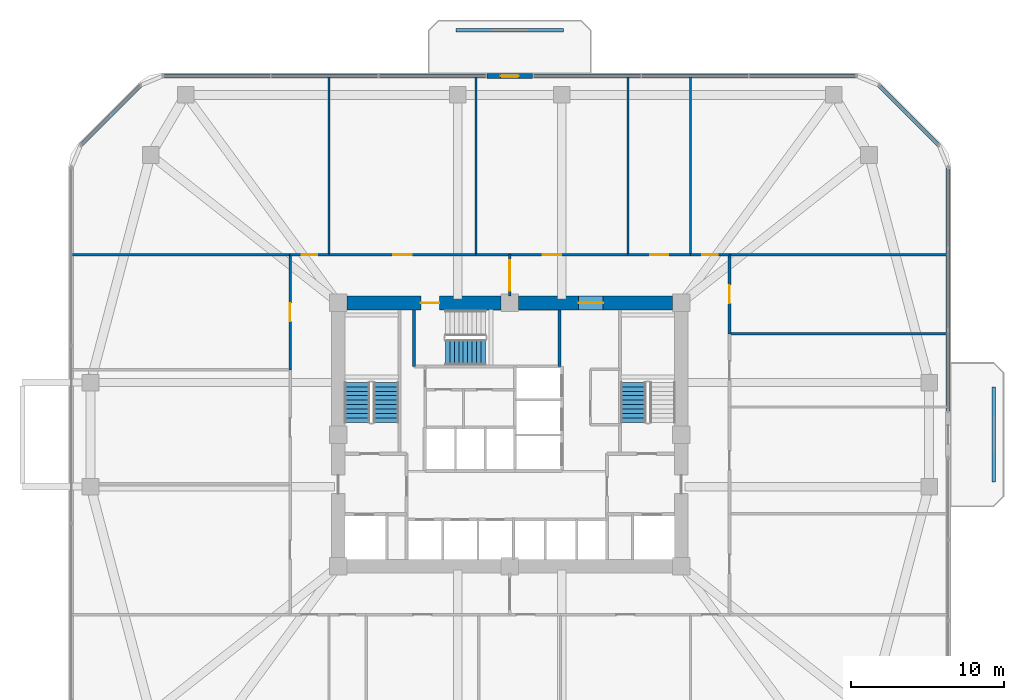
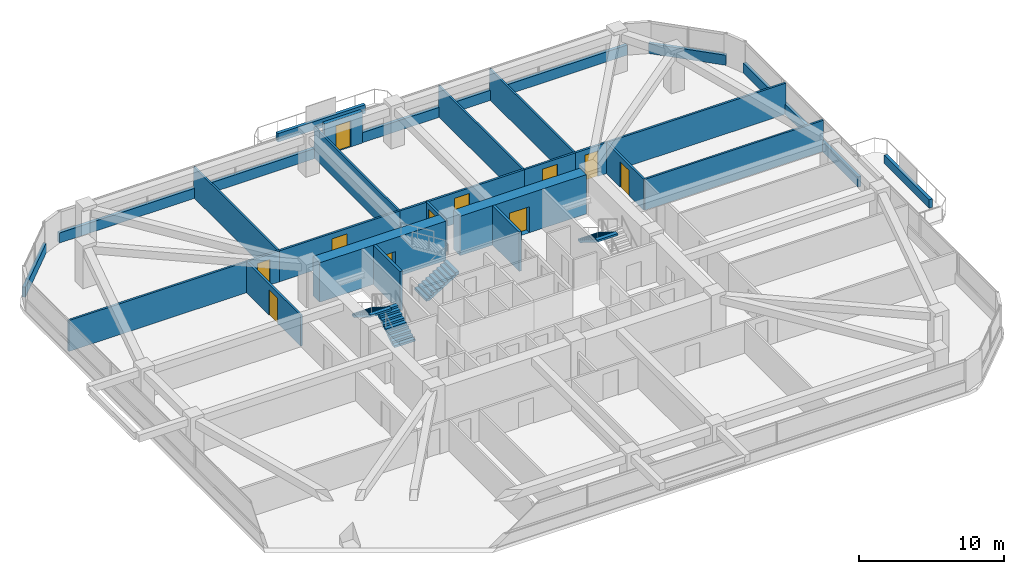
# One storey, part 11 of 14: 27 walls, 11 doors, 4 stair flights, 11 openings, 3 elements without a shape of their own.
"""IFC4 building model written with IfcOpenShell, lengths in metres."""

from ifc_helpers import new_model, si_unit, derived_unit, direction, frame, frame_2d, origin, place, context, subcontext, project, spatial, polyline, rectangle, outline, extrude, material, layer, layer_set, type_object, element, fill, aggregate, save


model = new_model("IFC4")

# Units and contexts
model_context = context("Model", 3, precision=1e-05, world=origin(), true_north=direction((0.0, 1.0)))
body_context = subcontext(model_context, "Body", "Model", "MODEL_VIEW")
ifc_project = project(units=[si_unit("LENGTHUNIT", "METRE"), si_unit("AREAUNIT", "SQUARE_METRE"), si_unit("VOLUMEUNIT", "CUBIC_METRE"), si_unit("PLANEANGLEUNIT", "RADIAN"), si_unit("MASSUNIT", "GRAM", prefix="KILO"), derived_unit("THERMALTRANSMITTANCEUNIT", [(si_unit("POWERUNIT", "WATT"), 1), (si_unit("LENGTHUNIT", "METRE"), -2), (si_unit("THERMODYNAMICTEMPERATUREUNIT", "KELVIN"), -1)])], contexts=[model_context])

# Site, building, storey
site_placement = place(None, origin())
site = spatial("IfcSite", under=ifc_project, at=site_placement, CompositionType="ELEMENT")
building_placement = place(site_placement, origin())
building = spatial("IfcBuilding", under=site, at=building_placement, Name="Koralith Skygarden Medical Center", CompositionType="ELEMENT")
storey_placement = place(building_placement, frame((0.0, 0.0, 31.139892578125)))
storey = spatial("IfcBuildingStorey", under=building, at=storey_placement, Name="L07", CompositionType="ELEMENT", Elevation=31.139892578125)

# Walls
ifc_material_1 = material(Name="Gypsum Board Partition")
ifc_layer_1 = layer(ifc_material_1, 0.14990234375)
ifc_layer_set_1 = layer_set([ifc_layer_1], Name="Gypsum Board Partition")
wall_type_1 = type_object("IfcWallType", Name="Clinical Acoustic Partition 150", PredefinedType="PARTITIONING", material=ifc_layer_set_1)
for number, where, z_axis, x_axis, name in (
    (1, (25.199951171875, 37.64990234375, 0.0), (0.0, 0.0, 1.0), (0.0, 1.0, 0.0), "L07 Clinical Acoustic Partition 150 W-PART-L07-N-01"),
    (2, (34.7939453125, 37.64990234375, 0.0), (0.0, 0.0, 1.0), (0.0, 1.0, 0.0), "L07 Clinical Acoustic Partition 150 W-PART-L07-N-02"),
    (3, (44.721923828125, 37.64990234375, 0.0), (0.0, 0.0, 1.0), (0.0, 1.0, 0.0), "L07 Clinical Acoustic Partition 150 W-PART-L07-N-03"),
    (4, (48.800048828125, 37.64990234375, 0.0), (0.0, 0.0, 1.0), (0.0, 1.0, 0.0), "L07 Clinical Acoustic Partition 150 W-PART-L07-N-04"),
):
    element("IfcWall", number, at=place(storey_placement, frame(where, z_axis=z_axis, x_axis=x_axis)), inside=storey, type_object=wall_type_1, Name=name, PredefinedType="PARTITIONING", context=body_context, shape_type="SweptSolid", body=[
        extrude(rectangle(XDim=11.650146484375, YDim=0.14990234375, at=frame_2d((5.8251953125, 0.0))), origin(), (0.0, 0.0, 1.0), 2.610107421875),
    ])
wall_1_placement = place(storey_placement, frame((51.35009765625, 32.47998046875, 0.0), z_axis=(0.0, 0.0, 1.0), x_axis=(1.0, 0.0, 0.0)))
element("IfcWall", 5, at=wall_1_placement, inside=storey, type_object=wall_type_1, Name="L07 Clinical Acoustic Partition 150 W-PART-L07-E-03", PredefinedType="PARTITIONING", context=body_context, shape_type="SweptSolid", body=[
    extrude(rectangle(XDim=14.25, YDim=0.14990234375, at=frame_2d((7.125, 0.0))), origin(), (0.0, 0.0, 1.0), 2.610107421875),
])
ifc_layer_2 = layer(ifc_material_1, 0.1650390625)
ifc_layer_set_2 = layer_set([ifc_layer_2], Name="Gypsum Board Partition")
wall_type_2 = type_object("IfcWallType", Name="Clinical Corridor Partition 165", PredefinedType="PARTITIONING", material=ifc_layer_set_2)
for number, where, z_axis, x_axis, name in (
    (6, (8.39990234375, 37.64990234375, 0.0), (0.0, 0.0, 1.0), (1.0, 0.0, 0.0), "L07 Clinical Corridor Partition 165 W-WB-L07-NW"),
    (7, (51.35009765625, 37.64990234375, 0.0), (0.0, 0.0, 1.0), (1.0, 0.0, 0.0), "L07 Clinical Corridor Partition 165 W-WB-L07-NE"),
):
    element("IfcWall", number, at=place(storey_placement, frame(where, z_axis=z_axis, x_axis=x_axis)), inside=storey, type_object=wall_type_2, Name=name, PredefinedType="PARTITIONING", context=body_context, shape_type="SweptSolid", body=[
        extrude(rectangle(XDim=14.25, YDim=0.1650390625, at=frame_2d((7.125, 0.0))), origin(), (0.0, 0.0, 1.0), 2.610107421875),
    ])

# Wall, opening, door
wall_2_placement = place(storey_placement, frame((22.64990234375, 37.64990234375, 0.0), z_axis=(0.0, 0.0, 1.0), x_axis=(1.0, 0.0, 0.0)))
wall_2 = element("IfcWall", 8, at=wall_2_placement, inside=storey, type_object=wall_type_2, Name="L07 Clinical Corridor Partition 165 W-CORR-L07-N-01", PredefinedType="PARTITIONING", context=body_context, shape_type="SweptSolid", body=[
    extrude(rectangle(XDim=2.550048828125, YDim=0.1650390625, at=frame_2d((1.27490234375, 0.0))), origin(), (0.0, 0.0, 1.0), 2.610107421875),
])
opening_1_placement = place(wall_2_placement, frame((0.77490234375, 0.0, 0.0)))
opening_1 = element("IfcOpeningElement", 9, at=opening_1_placement, cuts=wall_2, Name="Opening D-SUP", PredefinedType="OPENING", context=body_context, shape_type="SweptSolid", body=[
    extrude(rectangle(XDim=1.0, YDim=2.14990234375, at=frame_2d((0.5, 1.074951171875))), frame((0.0, 0.092529296875, 0.0), z_axis=(0.0, -1.0, 0.0), x_axis=(1.0, 0.0, 0.0)), (0.0, 0.0, 1.0), 0.18505859375),
])
ifc_material_2 = material(Name="Aluminium 6063-T6", Category="aluminium")
door_type_1 = type_object("IfcDoorType", Name="Clinical Support Door D-SUP 1000", OperationType="NOTDEFINED", PredefinedType="DOOR", material=ifc_material_2)
door_1_placement = place(opening_1_placement, origin())
door_1 = element("IfcDoor", 10, at=door_1_placement, inside=storey, type_object=door_type_1, Name="L07 Decentralized Nurse Charting Station 01 Door", OperationType="SINGLE_SWING_RIGHT", OverallHeight=2.14990234375, OverallWidth=1.0, PredefinedType="DOOR", context=body_context, shape_type="SweptSolid", body=[
    extrude(rectangle(XDim=1.0, YDim=2.14990234375, at=frame_2d((0.5, 1.074951171875))), frame((0.0, 0.02490234375, 0.0), z_axis=(0.0, -1.0, 0.0), x_axis=(1.0, 0.0, 0.0)), (0.0, 0.0, 1.0), 0.050048828125),
])
fill(opening_1, door_1)

wall_3_placement = place(storey_placement, frame((25.199951171875, 37.64990234375, 0.0), z_axis=(0.0, 0.0, 1.0), x_axis=(1.0, 0.0, 0.0)))
wall_3 = element("IfcWall", 11, at=wall_3_placement, inside=storey, type_object=wall_type_2, Name="L07 Clinical Corridor Partition 165 W-CORR-L07-N-02", PredefinedType="PARTITIONING", context=body_context, shape_type="SweptSolid", body=[
    extrude(rectangle(XDim=9.593994140625, YDim=0.1650390625, at=frame_2d((4.796875, 0.0))), origin(), (0.0, 0.0, 1.0), 2.610107421875),
])
opening_2_placement = place(wall_3_placement, frame((4.197021484375, 0.0, 0.0)))
opening_2 = element("IfcOpeningElement", 12, at=opening_2_placement, cuts=wall_3, Name="Opening D-CLN", PredefinedType="OPENING", context=body_context, shape_type="SweptSolid", body=[
    extrude(rectangle(XDim=1.199951171875, YDim=2.14990234375, at=frame_2d((0.60009765625, 1.074951171875))), frame((0.0, 0.092529296875, 0.0), z_axis=(0.0, -1.0, 0.0), x_axis=(1.0, 0.0, 0.0)), (0.0, 0.0, 1.0), 0.18505859375),
])
door_type_2 = type_object("IfcDoorType", Name="Clinical Corridor Door D-CLN 1200", OperationType="NOTDEFINED", PredefinedType="DOOR", material=ifc_material_2)
door_2_placement = place(opening_2_placement, origin())
door_2 = element("IfcDoor", 13, at=door_2_placement, inside=storey, type_object=door_type_2, Name="L07 Clinical Examination Room 02 Door", OperationType="SINGLE_SWING_LEFT", OverallHeight=2.14990234375, OverallWidth=1.199951171875, PredefinedType="DOOR", context=body_context, shape_type="SweptSolid", body=[
    extrude(rectangle(XDim=1.199951171875, YDim=2.14990234375, at=frame_2d((0.60009765625, 1.074951171875))), frame((0.0, 0.02490234375, 0.0), z_axis=(0.0, -1.0, 0.0), x_axis=(1.0, 0.0, 0.0)), (0.0, 0.0, 1.0), 0.050048828125),
])
fill(opening_2, door_2)

wall_4_placement = place(storey_placement, frame((34.7939453125, 37.64990234375, 0.0), z_axis=(0.0, 0.0, 1.0), x_axis=(1.0, 0.0, 0.0)))
wall_4 = element("IfcWall", 14, at=wall_4_placement, inside=storey, type_object=wall_type_2, Name="L07 Clinical Corridor Partition 165 W-CORR-L07-N-03", PredefinedType="PARTITIONING", context=body_context, shape_type="SweptSolid", body=[
    extrude(rectangle(XDim=9.927978515625, YDim=0.1650390625, at=frame_2d((4.9638671875, 0.0))), origin(), (0.0, 0.0, 1.0), 2.610107421875),
])
opening_3_placement = place(wall_4_placement, frame((4.364013671875, 0.0, 0.0)))
opening_3 = element("IfcOpeningElement", 15, at=opening_3_placement, cuts=wall_4, Name="Opening D-CLN", PredefinedType="OPENING", context=body_context, shape_type="SweptSolid", body=[
    extrude(rectangle(XDim=1.199951171875, YDim=2.14990234375, at=frame_2d((0.60009765625, 1.074951171875))), frame((0.0, 0.092529296875, 0.0), z_axis=(0.0, -1.0, 0.0), x_axis=(1.0, 0.0, 0.0)), (0.0, 0.0, 1.0), 0.18505859375),
])
door_3_placement = place(opening_3_placement, origin())
door_3 = element("IfcDoor", 16, at=door_3_placement, inside=storey, type_object=door_type_2, Name="L07 Patient and Family Sky-Garden Day Lounge 03 Door", OperationType="SINGLE_SWING_RIGHT", OverallHeight=2.14990234375, OverallWidth=1.199951171875, PredefinedType="DOOR", context=body_context, shape_type="SweptSolid", body=[
    extrude(rectangle(XDim=1.199951171875, YDim=2.14990234375, at=frame_2d((0.60009765625, 1.074951171875))), frame((0.0, 0.02490234375, 0.0), z_axis=(0.0, -1.0, 0.0), x_axis=(1.0, 0.0, 0.0)), (0.0, 0.0, 1.0), 0.050048828125),
])
fill(opening_3, door_3)

wall_5_placement = place(storey_placement, frame((44.721923828125, 37.64990234375, 0.0), z_axis=(0.0, 0.0, 1.0), x_axis=(1.0, 0.0, 0.0)))
wall_5 = element("IfcWall", 17, at=wall_5_placement, inside=storey, type_object=wall_type_2, Name="L07 Clinical Corridor Partition 165 W-CORR-L07-N-04", PredefinedType="PARTITIONING", context=body_context, shape_type="SweptSolid", body=[
    extrude(rectangle(XDim=4.078125, YDim=0.1650390625, at=frame_2d((2.0390625, 0.0))), origin(), (0.0, 0.0, 1.0), 2.610107421875),
])
opening_4_placement = place(wall_5_placement, frame((1.43896484375, 0.0, 0.0)))
opening_4 = element("IfcOpeningElement", 18, at=opening_4_placement, cuts=wall_5, Name="Opening D-CLN", PredefinedType="OPENING", context=body_context, shape_type="SweptSolid", body=[
    extrude(rectangle(XDim=1.199951171875, YDim=2.14990234375, at=frame_2d((0.60009765625, 1.074951171875))), frame((0.0, 0.092529296875, 0.0), z_axis=(0.0, -1.0, 0.0), x_axis=(1.0, 0.0, 0.0)), (0.0, 0.0, 1.0), 0.18505859375),
])
door_4_placement = place(opening_4_placement, origin())
door_4 = element("IfcDoor", 19, at=door_4_placement, inside=storey, type_object=door_type_2, Name="L07 Attending Physician Consultation Office 04 Door", OperationType="SINGLE_SWING_LEFT", OverallHeight=2.14990234375, OverallWidth=1.199951171875, PredefinedType="DOOR", context=body_context, shape_type="SweptSolid", body=[
    extrude(rectangle(XDim=1.199951171875, YDim=2.14990234375, at=frame_2d((0.60009765625, 1.074951171875))), frame((0.0, 0.02490234375, 0.0), z_axis=(0.0, -1.0, 0.0), x_axis=(1.0, 0.0, 0.0)), (0.0, 0.0, 1.0), 0.050048828125),
])
fill(opening_4, door_4)

wall_6_placement = place(storey_placement, frame((48.800048828125, 37.64990234375, 0.0), z_axis=(0.0, 0.0, 1.0), x_axis=(1.0, 0.0, 0.0)))
wall_6 = element("IfcWall", 20, at=wall_6_placement, inside=storey, type_object=wall_type_2, Name="L07 Clinical Corridor Partition 165 W-CORR-L07-N-05", PredefinedType="PARTITIONING", context=body_context, shape_type="SweptSolid", body=[
    extrude(rectangle(XDim=2.550048828125, YDim=0.1650390625, at=frame_2d((1.27490234375, 0.0))), origin(), (0.0, 0.0, 1.0), 2.610107421875),
])
opening_5_placement = place(wall_6_placement, frame((0.77490234375, 0.0, 0.0)))
opening_5 = element("IfcOpeningElement", 21, at=opening_5_placement, cuts=wall_6, Name="Opening D-SUP", PredefinedType="OPENING", context=body_context, shape_type="SweptSolid", body=[
    extrude(rectangle(XDim=1.0, YDim=2.14990234375, at=frame_2d((0.5, 1.074951171875))), frame((0.0, 0.092529296875, 0.0), z_axis=(0.0, -1.0, 0.0), x_axis=(1.0, 0.0, 0.0)), (0.0, 0.0, 1.0), 0.18505859375),
])
door_5_placement = place(opening_5_placement, origin())
door_5 = element("IfcDoor", 22, at=door_5_placement, inside=storey, type_object=door_type_1, Name="L07 Clinical Consultation Office 05 Door", OperationType="SINGLE_SWING_RIGHT", OverallHeight=2.14990234375, OverallWidth=1.0, PredefinedType="DOOR", context=body_context, shape_type="SweptSolid", body=[
    extrude(rectangle(XDim=1.0, YDim=2.14990234375, at=frame_2d((0.5, 1.074951171875))), frame((0.0, 0.02490234375, 0.0), z_axis=(0.0, -1.0, 0.0), x_axis=(1.0, 0.0, 0.0)), (0.0, 0.0, 1.0), 0.050048828125),
])
fill(opening_5, door_5)

wall_7_placement = place(storey_placement, frame((22.64990234375, 30.1298828125, 0.0), z_axis=(0.0, 0.0, 1.0), x_axis=(0.0, 1.0, 0.0)))
wall_7 = element("IfcWall", 23, at=wall_7_placement, inside=storey, type_object=wall_type_2, Name="L07 Clinical Corridor Partition 165 W-CORR-L07-W-03", PredefinedType="PARTITIONING", context=body_context, shape_type="SweptSolid", body=[
    extrude(rectangle(XDim=7.52001953125, YDim=0.1650390625, at=frame_2d((3.760009765625, 0.0))), origin(), (0.0, 0.0, 1.0), 2.610107421875),
])
opening_6_placement = place(wall_7_placement, frame((3.159912109375, 0.0, 0.0)))
opening_6 = element("IfcOpeningElement", 24, at=opening_6_placement, cuts=wall_7, Name="Opening D-CLN", PredefinedType="OPENING", context=body_context, shape_type="SweptSolid", body=[
    extrude(rectangle(XDim=1.199951171875, YDim=2.14990234375, at=frame_2d((0.60009765625, 1.074951171875))), frame((0.0, 0.092529296875, 0.0), z_axis=(0.0, -1.0, 0.0), x_axis=(1.0, 0.0, 0.0)), (0.0, 0.0, 1.0), 0.18505859375),
])
door_6_placement = place(opening_6_placement, frame((1.199951171875, 0.0, 0.0), z_axis=(0.0, 0.0, 1.0), x_axis=(-1.0, 0.0, 0.0)))
door_6 = element("IfcDoor", 25, at=door_6_placement, inside=storey, type_object=door_type_2, Name="L07 Decentralized Nurse Charting Station 14 Door", OperationType="SINGLE_SWING_LEFT", OverallHeight=2.14990234375, OverallWidth=1.199951171875, PredefinedType="DOOR", context=body_context, shape_type="SweptSolid", body=[
    extrude(rectangle(XDim=1.199951171875, YDim=2.14990234375, at=frame_2d((0.60009765625, 1.074951171875))), frame((0.0, 0.02490234375, 0.0), z_axis=(0.0, -1.0, 0.0), x_axis=(1.0, 0.0, 0.0)), (0.0, 0.0, 1.0), 0.050048828125),
])
fill(opening_6, door_6)

wall_8_placement = place(storey_placement, frame((51.35009765625, 32.47998046875, 0.0), z_axis=(0.0, 0.0, 1.0), x_axis=(0.0, 1.0, 0.0)))
wall_8 = element("IfcWall", 26, at=wall_8_placement, inside=storey, type_object=wall_type_2, Name="L07 Clinical Corridor Partition 165 W-CORR-L07-E-04", PredefinedType="PARTITIONING", context=body_context, shape_type="SweptSolid", body=[
    extrude(rectangle(XDim=5.169921875, YDim=0.1650390625, at=frame_2d((2.5849609375, 0.0))), origin(), (0.0, 0.0, 1.0), 2.610107421875),
])
opening_7_placement = place(wall_8_placement, frame((1.985107421875, 0.0, 0.0)))
opening_7 = element("IfcOpeningElement", 27, at=opening_7_placement, cuts=wall_8, Name="Opening D-CLN", PredefinedType="OPENING", context=body_context, shape_type="SweptSolid", body=[
    extrude(rectangle(XDim=1.199951171875, YDim=2.14990234375, at=frame_2d((0.60009765625, 1.074951171875))), frame((0.0, 0.092529296875, 0.0), z_axis=(0.0, -1.0, 0.0), x_axis=(1.0, 0.0, 0.0)), (0.0, 0.0, 1.0), 0.18505859375),
])
door_7_placement = place(opening_7_placement, origin())
door_7 = element("IfcDoor", 28, at=door_7_placement, inside=storey, type_object=door_type_2, Name="L07 Clinical Consultation Office 18 Door", OperationType="SINGLE_SWING_LEFT", OverallHeight=2.14990234375, OverallWidth=1.199951171875, PredefinedType="DOOR", context=body_context, shape_type="SweptSolid", body=[
    extrude(rectangle(XDim=1.199951171875, YDim=2.14990234375, at=frame_2d((0.60009765625, 1.074951171875))), frame((0.0, 0.02490234375, 0.0), z_axis=(0.0, -1.0, 0.0), x_axis=(1.0, 0.0, 0.0)), (0.0, 0.0, 1.0), 0.050048828125),
])
fill(opening_7, door_7)

ifc_layer_3 = layer(ifc_material_1, 0.179931640625)
ifc_layer_set_3 = layer_set([ifc_layer_3], Name="Gypsum Board Partition")
wall_type_3 = type_object("IfcWallType", Name="Group I-2 Smoke Barrier Wall 180", PredefinedType="PARTITIONING", material=ifc_layer_set_3)
wall_9_placement = place(storey_placement, frame((37.0, 34.949951171875, 0.0), z_axis=(0.0, 0.0, 1.0), x_axis=(0.0, 1.0, 0.0)))
wall_9 = element("IfcWall", 29, at=wall_9_placement, inside=storey, type_object=wall_type_3, Name="L07 Group I-2 Smoke Barrier Wall 180 W-SMK-L07-N", PredefinedType="PARTITIONING", context=body_context, shape_type="SweptSolid", body=[
    extrude(rectangle(XDim=2.699951171875, YDim=0.179931640625, at=frame_2d((1.35009765625, 0.0))), origin(), (0.0, 0.0, 1.0), 2.610107421875),
])
opening_8_placement = place(wall_9_placement, frame((0.35009765625, 0.0, 0.0)))
opening_8 = element("IfcOpeningElement", 30, at=opening_8_placement, cuts=wall_9, Name="Opening D-SMK", PredefinedType="OPENING", context=body_context, shape_type="SweptSolid", body=[
    extrude(rectangle(XDim=2.0, YDim=2.199951171875, at=frame_2d((1.0, 1.10009765625))), frame((0.0, 0.099853515625, 0.0), z_axis=(0.0, -1.0, 0.0), x_axis=(1.0, 0.0, 0.0)), (0.0, 0.0, 1.0), 0.199951171875),
])
ifc_material_3 = material(Name="Steel ASTM A500 Grade C", Category="steel")
door_type_3 = type_object("IfcDoorType", Name="Cross-Corridor Double Smoke Door FD60S 2000", OperationType="NOTDEFINED", PredefinedType="DOOR", material=ifc_material_3)
door_8_placement = place(opening_8_placement, origin())
door_8 = element("IfcDoor", 31, at=door_8_placement, inside=storey, type_object=door_type_3, Name="L07 N Smoke Compartment Cross-Corridor Door", OperationType="DOUBLE_DOOR_SINGLE_SWING", OverallHeight=2.199951171875, OverallWidth=2.0, PredefinedType="DOOR", context=body_context, shape_type="SweptSolid", body=[
    extrude(rectangle(XDim=2.0, YDim=2.199951171875, at=frame_2d((1.0, 1.10009765625))), frame((0.0, 0.02490234375, 0.0), z_axis=(0.0, -1.0, 0.0), x_axis=(1.0, 0.0, 0.0)), (0.0, 0.0, 1.0), 0.050048828125),
])
fill(opening_8, door_8)

# Walls
ifc_material_4 = material(Name="Warm Oolitic Limestone Cladding", Category="masonry")
ifc_layer_4 = layer(ifc_material_4, 0.239990234375)
ifc_layer_set_4 = layer_set([ifc_layer_4], Name="Warm Oolitic Limestone Cladding")
wall_type_4 = type_object("IfcWallType", Name="Limestone Spandrel Sill Backup Wall 240", PredefinedType="SOLIDWALL", material=ifc_layer_set_4)
wall_10_placement = place(storey_placement, frame((65.6201171875, 27.43994140625, 0.0), z_axis=(0.0, 0.0, 1.0), x_axis=(0.0, 1.0, 0.0)))
element("IfcWall", 32, at=wall_10_placement, inside=storey, type_object=wall_type_4, Name="L07 Sill Spandrel E-R", PredefinedType="SOLIDWALL", context=body_context, shape_type="SweptSolid", body=[
    extrude(rectangle(XDim=15.905029296875, YDim=0.239990234375, at=frame_2d((7.95263671875, 0.0))), origin(), (0.0, 0.0, 1.0), 0.85009765625),
])
wall_11_placement = place(storey_placement, frame((65.01904296875, 44.7958984375, 0.0), z_axis=(0.0, 0.0, 1.0), x_axis=(-0.707106781187, 0.707106781187, 0.0)))
element("IfcWall", 33, at=wall_11_placement, inside=storey, type_object=wall_type_4, Name="L07 Sill Spandrel NE", PredefinedType="SOLIDWALL", context=body_context, shape_type="SweptSolid", body=[
    extrude(rectangle(XDim=5.548095703125, YDim=0.239990234375, at=frame_2d((2.77392578125, 0.0))), origin(), (0.0, 0.0, 1.0), 0.85009765625),
])
for number, where, z_axis, x_axis, name in (
    (34, (59.64501953125, 49.320068359375, 0.0), (0.0, 0.0, 1.0), (-1.0, 0.0, 0.0), "L07 Sill Spandrel N-L"),
    (35, (35.4599609375, 49.320068359375, 0.0), (0.0, 0.0, 1.0), (-1.0, 0.0, 0.0), "L07 Sill Spandrel N-R"),
):
    element("IfcWall", number, at=place(storey_placement, frame(where, z_axis=z_axis, x_axis=x_axis)), inside=storey, type_object=wall_type_4, Name=name, PredefinedType="SOLIDWALL", context=body_context, shape_type="SweptSolid", body=[
        extrude(rectangle(XDim=21.10498046875, YDim=0.239990234375, at=frame_2d((10.552490234375, 0.0))), origin(), (0.0, 0.0, 1.0), 0.85009765625),
    ])
wall_12_placement = place(storey_placement, frame((12.904052734375, 48.718994140625, 0.0), z_axis=(0.0, 0.0, 1.0), x_axis=(-0.707106781187, -0.707106781187, 0.0)))
element("IfcWall", 36, at=wall_12_placement, inside=storey, type_object=wall_type_4, Name="L07 Sill Spandrel NW", PredefinedType="SOLIDWALL", context=body_context, shape_type="SweptSolid", body=[
    extrude(rectangle(XDim=5.548095703125, YDim=0.239990234375, at=frame_2d((2.77392578125, 0.0))), origin(), (0.0, 0.0, 1.0), 0.85009765625),
])

# Wall, opening, door
ifc_material_5 = material(Name="Concrete C70/85", Category="concrete")
ifc_layer_5 = layer(ifc_material_5, 0.89990234375)
ifc_layer_set_5 = layer_set([ifc_layer_5], Name="Concrete C70/85")
wall_type_5 = type_object("IfcWallType", Name="Lower Core Shear Wall 900", PredefinedType="SHEAR", material=ifc_layer_set_5)
wall_13_placement = place(storey_placement, frame((47.635009765625, 34.5, 0.0), z_axis=(0.0, 0.0, 1.0), x_axis=(-1.0, 0.0, 0.0)))
wall_13 = element("IfcWall", 37, at=wall_13_placement, inside=storey, type_object=wall_type_5, Name="L07 Core Shear Wall Segment 5", PredefinedType="SHEAR", context=body_context, shape_type="SweptSolid", body=[
    extrude(rectangle(XDim=10.070068359375, YDim=0.89990234375, at=frame_2d((5.03515625, 0.0))), origin(), (0.0, 0.0, 1.0), 3.320068359375),
])
opening_9_placement = place(wall_13_placement, frame((4.534912109375, 0.0, 0.0)))
opening_9 = element("IfcOpeningElement", 38, at=opening_9_placement, cuts=wall_13, Name="Opening D-DBL", PredefinedType="OPENING", context=body_context, shape_type="SweptSolid", body=[
    extrude(rectangle(XDim=1.60009765625, YDim=2.199951171875, at=frame_2d((0.800048828125, 1.10009765625))), frame((0.0, 0.4599609375, 0.0), z_axis=(0.0, -1.0, 0.0), x_axis=(1.0, 0.0, 0.0)), (0.0, 0.0, 1.0), 0.919921875),
])
door_type_4 = type_object("IfcDoorType", Name="Double Clinical Suite Door D-DBL 1600", OperationType="NOTDEFINED", PredefinedType="DOOR", material=ifc_material_2)
door_9_placement = place(opening_9_placement, frame((1.60009765625, 0.0, 0.0), z_axis=(0.0, 0.0, 1.0), x_axis=(-1.0, 0.0, 0.0)))
door_9 = element("IfcDoor", 39, at=door_9_placement, inside=storey, type_object=door_type_4, Name="L07 North-East Corridor to Elevator Lobby Door", OperationType="DOUBLE_DOOR_SINGLE_SWING", OverallHeight=2.199951171875, OverallWidth=1.60009765625, PredefinedType="DOOR", context=body_context, shape_type="SweptSolid", body=[
    extrude(rectangle(XDim=1.60009765625, YDim=2.199951171875, at=frame_2d((0.800048828125, 1.10009765625))), frame((0.0, 0.02490234375, 0.0), z_axis=(0.0, -1.0, 0.0), x_axis=(1.0, 0.0, 0.0)), (0.0, 0.0, 1.0), 0.050048828125),
])
fill(opening_9, door_9)

wall_14_placement = place(storey_placement, frame((36.43505859375, 34.5, 0.0), z_axis=(0.0, 0.0, 1.0), x_axis=(-1.0, 0.0, 0.0)))
wall_14 = element("IfcWall", 40, at=wall_14_placement, inside=storey, type_object=wall_type_5, Name="L07 Core Shear Wall Segment 6", PredefinedType="SHEAR", context=body_context, shape_type="SweptSolid", body=[
    extrude(rectangle(XDim=10.070068359375, YDim=0.89990234375, at=frame_2d((5.03515625, 0.0))), origin(), (0.0, 0.0, 1.0), 3.320068359375),
])
opening_10_placement = place(wall_14_placement, frame((4.034912109375, 0.0, 0.0)))
opening_10 = element("IfcOpeningElement", 41, at=opening_10_placement, cuts=wall_14, Name="Opening D-ST60", PredefinedType="OPENING", context=body_context, shape_type="SweptSolid", body=[
    extrude(rectangle(XDim=1.199951171875, YDim=2.14990234375, at=frame_2d((0.60009765625, 1.074951171875))), frame((0.0, 0.4599609375, 0.0), z_axis=(0.0, -1.0, 0.0), x_axis=(1.0, 0.0, 0.0)), (0.0, 0.0, 1.0), 0.919921875),
])
door_type_5 = type_object("IfcDoorType", Name="Smokeproof Stair Fire Door FD60S 1200", OperationType="NOTDEFINED", PredefinedType="DOOR", material=ifc_material_3)
door_10_placement = place(opening_10_placement, frame((1.199951171875, 0.0, 0.0), z_axis=(0.0, 0.0, 1.0), x_axis=(-1.0, 0.0, 0.0)))
door_10 = element("IfcDoor", 42, at=door_10_placement, inside=storey, type_object=door_type_5, Name="L07 Exit Stair ST3 Fire Door", OperationType="SINGLE_SWING_LEFT", OverallHeight=2.14990234375, OverallWidth=1.199951171875, PredefinedType="DOOR", context=body_context, shape_type="SweptSolid", body=[
    extrude(rectangle(XDim=1.199951171875, YDim=2.14990234375, at=frame_2d((0.60009765625, 1.074951171875))), frame((0.0, 0.02490234375, 0.0), z_axis=(0.0, -1.0, 0.0), x_axis=(1.0, 0.0, 0.0)), (0.0, 0.0, 1.0), 0.050048828125),
])
fill(opening_10, door_10)

ifc_layer_6 = layer(ifc_material_4, 0.300048828125)
ifc_layer_set_6 = layer_set([ifc_layer_6], Name="Warm Oolitic Limestone Cladding")
wall_type_6 = type_object("IfcWallType", Name="Oolitic Limestone Insulated Facade Wall 300", PredefinedType="SOLIDWALL", material=ifc_layer_set_6)
wall_15_placement = place(storey_placement, frame((38.5, 49.320068359375, 0.0), z_axis=(0.0, 0.0, 1.0), x_axis=(-1.0, 0.0, 0.0)))
wall_15 = element("IfcWall", 43, at=wall_15_placement, inside=storey, type_object=wall_type_6, Name="L07 Terrace Portal Wall N", PredefinedType="SOLIDWALL", context=body_context, shape_type="SweptSolid", body=[
    extrude(rectangle(XDim=3.0, YDim=0.300048828125, at=frame_2d((1.5, 0.0))), origin(), (0.0, 0.0, 1.0), 2.650146484375),
])
opening_11_placement = place(wall_15_placement, frame((0.89990234375, 0.0, 0.0)))
opening_11 = element("IfcOpeningElement", 44, at=opening_11_placement, cuts=wall_15, Name="Opening D-BAL", PredefinedType="OPENING", context=body_context, shape_type="SweptSolid", body=[
    extrude(rectangle(XDim=1.199951171875, YDim=2.199951171875, at=frame_2d((0.60009765625, 1.10009765625))), frame((0.0, 0.159912109375, 0.0), z_axis=(0.0, -1.0, 0.0), x_axis=(1.0, 0.0, 0.0)), (0.0, 0.0, 1.0), 0.320068359375),
])
door_type_6 = type_object("IfcDoorType", Name="Planted Balcony Glazed Terrace Door D-BAL 1200", OperationType="NOTDEFINED", PredefinedType="DOOR", material=ifc_material_2)
door_11_placement = place(opening_11_placement, origin())
door_11 = element("IfcDoor", 45, at=door_11_placement, inside=storey, type_object=door_type_6, Name="L07 N Outdoor Terrace Access Door", OperationType="SINGLE_SWING_RIGHT", OverallHeight=2.199951171875, OverallWidth=1.199951171875, PredefinedType="DOOR", context=body_context, shape_type="SweptSolid", body=[
    extrude(rectangle(XDim=1.199951171875, YDim=2.199951171875, at=frame_2d((0.60009765625, 1.10009765625))), frame((0.0, 0.02490234375, 0.0), z_axis=(0.0, -1.0, 0.0), x_axis=(1.0, 0.0, 0.0)), (0.0, 0.0, 1.0), 0.050048828125),
])
fill(opening_11, door_11)

# Walls
ifc_material_6 = material(Name="Precast concrete C40/50", Category="concrete")
ifc_layer_7 = layer(ifc_material_6, 0.25)
ifc_layer_set_7 = layer_set([ifc_layer_7], Name="Precast concrete C40/50")
wall_type_7 = type_object("IfcWallType", Name="Structural Concrete Balcony Planter Kerb 250", PredefinedType="PARAPET", material=ifc_layer_set_7)
wall_16_placement = place(storey_placement, frame((33.5, 52.300048828125, 0.0), z_axis=(0.0, 0.0, 1.0), x_axis=(1.0, 0.0, 0.0)))
element("IfcWall", 46, at=wall_16_placement, inside=storey, type_object=wall_type_7, Name="L07 N Structural Tree PLANTER Box", PredefinedType="PARAPET", context=body_context, shape_type="SweptSolid", body=[
    extrude(rectangle(XDim=7.0, YDim=0.25, at=frame_2d((3.5, 0.0))), origin(), (0.0, 0.0, 1.0), 0.72021484375),
])
wall_17_placement = place(storey_placement, frame((68.60009765625, 22.800048828125, 0.0), z_axis=(0.0, 0.0, 1.0), x_axis=(0.0, 1.0, 0.0)))
element("IfcWall", 47, at=wall_17_placement, inside=storey, type_object=wall_type_7, Name="L07 E Structural Tree PLANTER Box", PredefinedType="PARAPET", context=body_context, shape_type="SweptSolid", body=[
    extrude(rectangle(XDim=6.199951171875, YDim=0.25, at=frame_2d((3.10009765625, 0.0))), origin(), (0.0, 0.0, 1.0), 0.72021484375),
])
ifc_material_7 = material(Name="Concrete C45/55", Category="concrete")
ifc_layer_8 = layer(ifc_material_7, 0.199951171875)
ifc_layer_set_8 = layer_set([ifc_layer_8], Name="Concrete C45/55")
wall_type_8 = type_object("IfcWallType", Name="Structural Stair Shaft Wall 200", PredefinedType="SHEAR", material=ifc_layer_set_8)
for number, where, z_axis, x_axis, name in (
    (48, (30.75, 30.360107421875, 0.0), (0.0, 0.0, 1.0), (0.0, 1.0, 0.0), "L07 Structural Stair Shaft Wall 200 W-CORE-L07-ST3-W"),
    (49, (40.25, 30.360107421875, 0.0), (0.0, 0.0, 1.0), (0.0, 1.0, 0.0), "L07 Structural Stair Shaft Wall 200 W-CORE-L07-ST3-E"),
):
    element("IfcWall", number, at=place(storey_placement, frame(where, z_axis=z_axis, x_axis=x_axis)), inside=storey, type_object=wall_type_8, Name=name, PredefinedType="SHEAR", context=body_context, shape_type="SweptSolid", body=[
        extrude(rectangle(XDim=3.68994140625, YDim=0.199951171875, at=frame_2d((1.844970703125, 0.0))), origin(), (0.0, 0.0, 1.0), 3.320068359375),
    ])

# Stair, stair flights
stair_type = type_object("IfcStairType", Name="Core Exit Dogleg Concrete Stair", PredefinedType="HALF_TURN_STAIR", material=ifc_material_7)
stair_1_placement = place(storey_placement, origin())
stair_1 = element("IfcStair", 50, at=stair_1_placement, inside=storey, type_object=stair_type, Name="L07 Smokeproof Exit Stair ST1", PredefinedType="HALF_TURN_STAIR")
stair_flight_type = type_object("IfcStairFlightType", Name="Core Exit Concrete Stair Flight 1650", PredefinedType="STRAIGHT", material=ifc_material_7)
stair_flight_1_placement = place(storey_placement, frame((28.925048828125, 26.699951171875, 0.0), z_axis=(0.0, 0.0, 1.0), x_axis=(0.0, 1.0, 0.0)))
stair_flight_1 = element("IfcStairFlight", 51, at=stair_flight_1_placement, type_object=stair_flight_type, Name="ST1 flight 1", NumberOfRisers=10, NumberOfTreads=9, PredefinedType="STRAIGHT", RiserHeight=0.18, TreadLength=0.29, context=body_context, shape_type="SweptSolid", body=[
    extrude(outline(polyline([(0.0, 0.0), (0.0, 0.179931640625), (0.2900390625, 0.179931640625), (0.2900390625, 0.360107421875), (0.580078125, 0.360107421875), (0.580078125, 0.5400390625), (0.8701171875, 0.5400390625), (0.8701171875, 0.719970703125), (1.159912109375, 0.719970703125), (1.159912109375, 0.89990234375), (1.449951171875, 0.89990234375), (1.449951171875, 1.080078125), (1.739990234375, 1.080078125), (1.739990234375, 1.260009765625), (2.030029296875, 1.260009765625), (2.030029296875, 1.43994140625), (2.320068359375, 1.43994140625), (2.320068359375, 1.6201171875), (2.610107421875, 1.6201171875), (2.610107421875, 1.800048828125), (2.610107421875, 1.443603515625), (0.2841796875, 0.0), (0.0, 0.0)])), frame((0.0, 0.824951171875, 0.0), z_axis=(0.0, -1.0, 0.0), x_axis=(1.0, 0.0, 0.0)), (0.0, 0.0, 1.0), 1.64990234375),
])
stair_flight_2_placement = place(storey_placement, frame((27.02490234375, 29.31005859375, 1.800048828125), z_axis=(0.0, 0.0, 1.0), x_axis=(0.0, -1.0, 0.0)))
stair_flight_2 = element("IfcStairFlight", 52, at=stair_flight_2_placement, type_object=stair_flight_type, Name="ST1 flight 2", NumberOfRisers=10, NumberOfTreads=9, PredefinedType="STRAIGHT", RiserHeight=0.18, TreadLength=0.29, context=body_context, shape_type="SweptSolid", body=[
    extrude(outline(polyline([(0.0, 0.0), (0.0, 0.179931640625), (0.2900390625, 0.179931640625), (0.2900390625, 0.360107421875), (0.580078125, 0.360107421875), (0.580078125, 0.5400390625), (0.8701171875, 0.5400390625), (0.8701171875, 0.719970703125), (1.159912109375, 0.719970703125), (1.159912109375, 0.89990234375), (1.449951171875, 0.89990234375), (1.449951171875, 1.080078125), (1.739990234375, 1.080078125), (1.739990234375, 1.260009765625), (2.030029296875, 1.260009765625), (2.030029296875, 1.43994140625), (2.320068359375, 1.43994140625), (2.320068359375, 1.6201171875), (2.610107421875, 1.6201171875), (2.610107421875, 1.800048828125), (2.610107421875, 1.443603515625), (0.2841796875, 0.0), (0.0, 0.0)])), frame((0.0, 0.824951171875, 0.0), z_axis=(0.0, -1.0, 0.0), x_axis=(1.0, 0.0, 0.0)), (0.0, 0.0, 1.0), 1.64990234375),
])
aggregate(stair_1, [stair_flight_1, stair_flight_2])

# Stair, stair flight
stair_2_placement = place(storey_placement, origin())
stair_2 = element("IfcStair", 53, at=stair_2_placement, inside=storey, type_object=stair_type, Name="L07 Smokeproof Exit Stair ST2", PredefinedType="HALF_TURN_STAIR")
stair_flight_3_placement = place(storey_placement, frame((45.074951171875, 29.31005859375, 1.800048828125), z_axis=(0.0, 0.0, 1.0), x_axis=(0.0, -1.0, 0.0)))
stair_flight_3 = element("IfcStairFlight", 54, at=stair_flight_3_placement, type_object=stair_flight_type, Name="ST2 flight 2", NumberOfRisers=10, NumberOfTreads=9, PredefinedType="STRAIGHT", RiserHeight=0.18, TreadLength=0.29, context=body_context, shape_type="SweptSolid", body=[
    extrude(outline(polyline([(0.0, 0.0), (0.0, 0.179931640625), (0.2900390625, 0.179931640625), (0.2900390625, 0.360107421875), (0.580078125, 0.360107421875), (0.580078125, 0.5400390625), (0.8701171875, 0.5400390625), (0.8701171875, 0.719970703125), (1.159912109375, 0.719970703125), (1.159912109375, 0.89990234375), (1.449951171875, 0.89990234375), (1.449951171875, 1.080078125), (1.739990234375, 1.080078125), (1.739990234375, 1.260009765625), (2.030029296875, 1.260009765625), (2.030029296875, 1.43994140625), (2.320068359375, 1.43994140625), (2.320068359375, 1.6201171875), (2.610107421875, 1.6201171875), (2.610107421875, 1.800048828125), (2.610107421875, 1.443603515625), (0.2841796875, 0.0), (0.0, 0.0)])), frame((0.0, 0.824951171875, 0.0), z_axis=(0.0, -1.0, 0.0), x_axis=(1.0, 0.0, 0.0)), (0.0, 0.0, 1.0), 1.64990234375),
])
aggregate(stair_2, [stair_flight_3])

stair_3_placement = place(storey_placement, origin())
stair_3 = element("IfcStair", 55, at=stair_3_placement, inside=storey, type_object=stair_type, Name="L07 Smokeproof Exit Stair ST3", PredefinedType="HALF_TURN_STAIR")
stair_flight_4_placement = place(storey_placement, frame((32.800048828125, 31.27490234375, 0.0), z_axis=(0.0, 0.0, 1.0), x_axis=(1.0, 0.0, 0.0)))
stair_flight_4 = element("IfcStairFlight", 56, at=stair_flight_4_placement, type_object=stair_flight_type, Name="ST3 flight 1", NumberOfRisers=10, NumberOfTreads=9, PredefinedType="STRAIGHT", RiserHeight=0.18, TreadLength=0.29, context=body_context, shape_type="SweptSolid", body=[
    extrude(outline(polyline([(0.0, 0.0), (0.0, 0.179931640625), (0.2900390625, 0.179931640625), (0.2900390625, 0.360107421875), (0.580078125, 0.360107421875), (0.580078125, 0.5400390625), (0.8701171875, 0.5400390625), (0.8701171875, 0.719970703125), (1.159912109375, 0.719970703125), (1.159912109375, 0.89990234375), (1.449951171875, 0.89990234375), (1.449951171875, 1.080078125), (1.739990234375, 1.080078125), (1.739990234375, 1.260009765625), (2.030029296875, 1.260009765625), (2.030029296875, 1.43994140625), (2.320068359375, 1.43994140625), (2.320068359375, 1.6201171875), (2.610107421875, 1.6201171875), (2.610107421875, 1.800048828125), (2.610107421875, 1.443603515625), (0.2841796875, 0.0), (0.0, 0.0)])), frame((0.0, 0.824951171875, 0.0), z_axis=(0.0, -1.0, 0.0), x_axis=(1.0, 0.0, 0.0)), (0.0, 0.0, 1.0), 1.64990234375),
])
aggregate(stair_3, [stair_flight_4])

save(model, "model.ifc")
